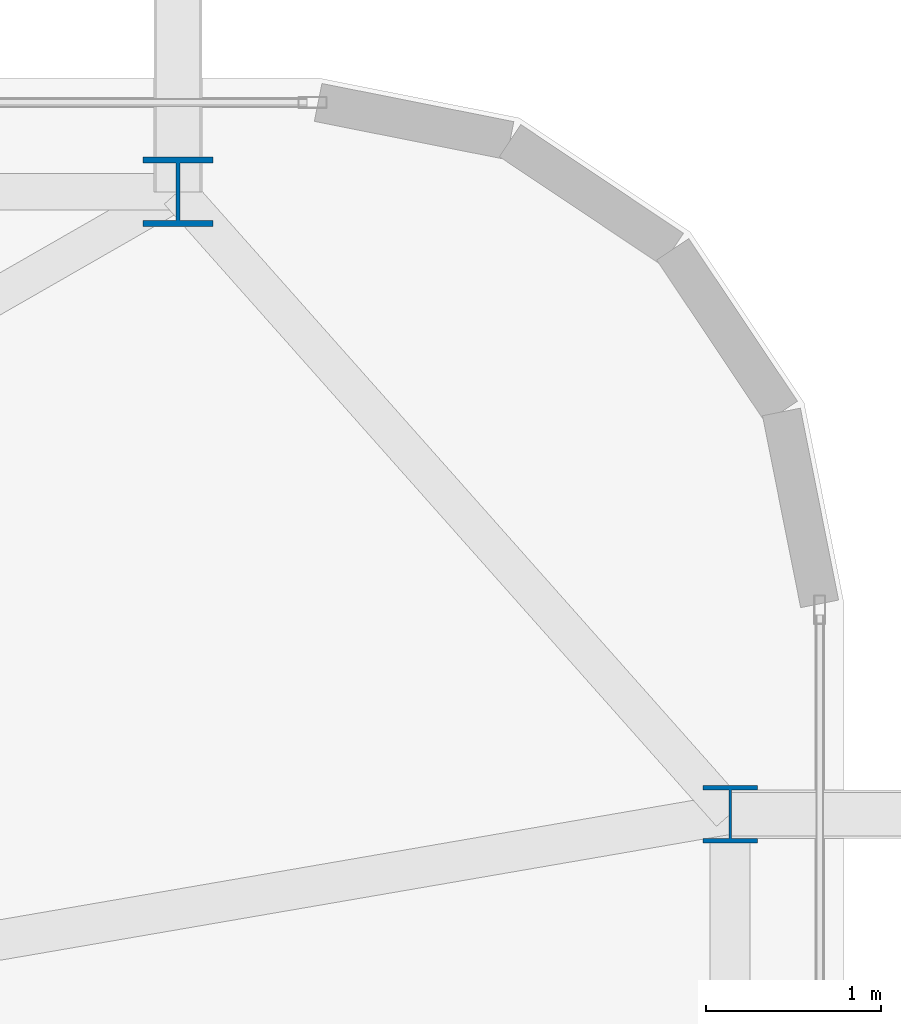
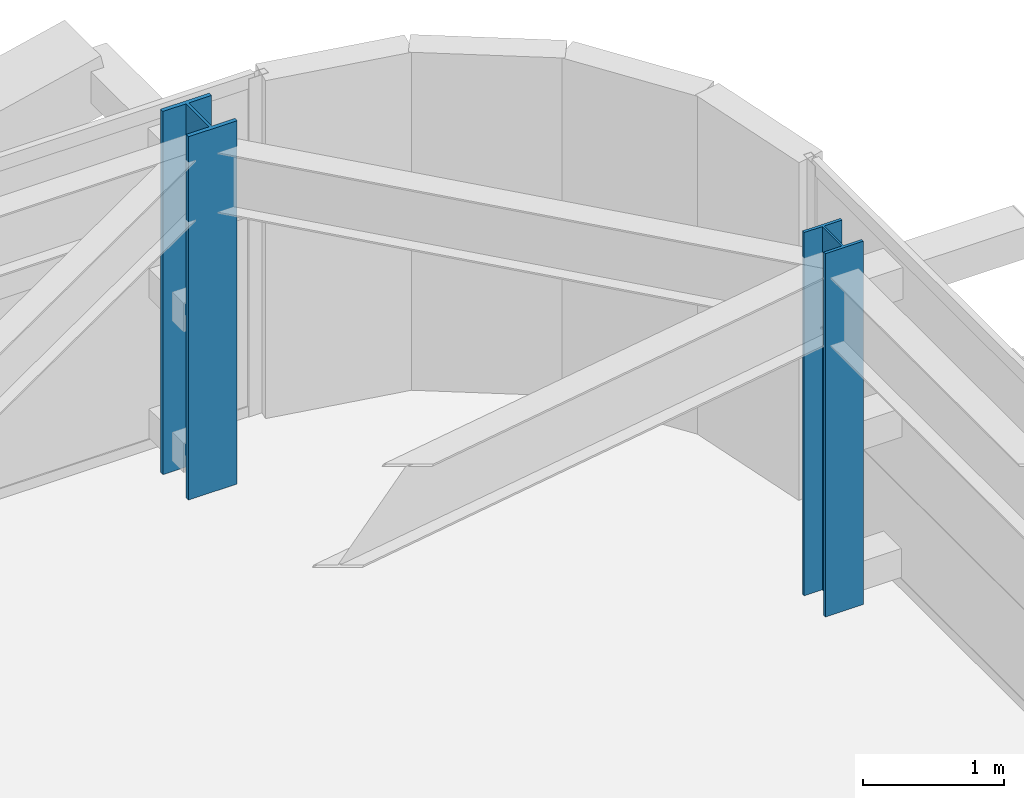
# One storey, part 4 of 44: 2 columns.
"""IFC4 building model written with IfcOpenShell, lengths in metres."""

from ifc_helpers import new_model, si_unit, direction, frame, origin, origin_2d, place, context, subcontext, project, spatial, i_section, extrude, source, transform, mapped, material, material_profile, profile_set, type_object, element, save


model = new_model("IFC4")

# Units and contexts
model_context = context("Model", 3, precision=1e-05, world=origin(), true_north=direction((0.0, 1.0)))
body_context = subcontext(model_context, "Body", "Model", "MODEL_VIEW")
ifc_project = project(units=[si_unit("LENGTHUNIT", "METRE"), si_unit("AREAUNIT", "SQUARE_METRE"), si_unit("VOLUMEUNIT", "CUBIC_METRE"), si_unit("PLANEANGLEUNIT", "RADIAN"), si_unit("MASSUNIT", "GRAM", prefix="KILO")], contexts=[model_context])

# Site, building, storey
site_placement = place(None, origin())
site = spatial("IfcSite", under=ifc_project, at=site_placement, CompositionType="ELEMENT")
building_placement = place(site_placement, origin())
building = spatial("IfcBuilding", under=site, at=building_placement, Name="Taldren Reach Tower", CompositionType="ELEMENT")
storey_placement = place(building_placement, frame((0.0, 0.0, 42.0)))
storey = spatial("IfcBuildingStorey", under=building, at=storey_placement, Name="L12", CompositionType="ELEMENT", Elevation=42.0)

# Columns
ifc_material = material(Name="Steel Gr 350 (350PLUS)", Category="steel")
ifc_material_profile_1 = material_profile(ifc_material, i_section(OverallWidth=0.39990234375, OverallDepth=0.39599609375, WebThickness=0.02197265625, FlangeThickness=0.033935546875, at=origin_2d()), Name="400WC270")
ifc_profile_set_1 = profile_set([ifc_material_profile_1], Name="Steel Gr 350 (350PLUS)")
column_type_1 = type_object("IfcColumnType", Name="COL-WC400", PredefinedType="COLUMN", material=ifc_profile_set_1)
shared_shape_1 = source(origin(), body_context, "Body", "SweptSolid", [
    extrude(i_section(OverallWidth=0.39990234375, OverallDepth=0.39599609375, WebThickness=0.02197265625, FlangeThickness=0.033935546875, at=origin_2d()), origin(), (0.0, 0.0, 1.0), 3.14990234375),
])
column_1_placement = place(storey_placement, frame((61.199951171875, 37.85009765625, 0.0), z_axis=(0.0, 0.0, 1.0), x_axis=(1.0, 0.0, 0.0)))
element("IfcColumn", 1, at=column_1_placement, inside=storey, type_object=column_type_1, Name="Block B1 perimeter column N6 L12", PredefinedType="COLUMN", context=body_context, shape_type="MappedRepresentation", body=[
    mapped(shared_shape_1, transform((0.0, 0.0, 0.0), scale=1.0)),
])
ifc_material_profile_2 = material_profile(ifc_material, i_section(OverallWidth=0.31103515625, OverallDepth=0.326904296875, WebThickness=0.015625, FlangeThickness=0.02490234375, at=origin_2d()), Name="310UC158")
ifc_profile_set_2 = profile_set([ifc_material_profile_2], Name="Steel Gr 350 (350PLUS)")
column_type_2 = type_object("IfcColumnType", Name="COL-UC310A", PredefinedType="COLUMN", material=ifc_profile_set_2)
shared_shape_2 = source(origin(), body_context, "Body", "SweptSolid", [
    extrude(i_section(OverallWidth=0.31103515625, OverallDepth=0.326904296875, WebThickness=0.015625, FlangeThickness=0.02490234375, at=origin_2d()), origin(), (0.0, 0.0, 1.0), 3.14990234375),
])
column_2_placement = place(storey_placement, frame((64.35009765625, 34.300048828125, 0.0), z_axis=(0.0, 0.0, 1.0), x_axis=(1.0, 0.0, 0.0)))
element("IfcColumn", 2, at=column_2_placement, inside=storey, type_object=column_type_2, Name="Block B1 perimeter column E3 L12", PredefinedType="COLUMN", context=body_context, shape_type="MappedRepresentation", body=[
    mapped(shared_shape_2, transform((0.0, 0.0, 0.0), scale=1.0)),
])

save(model, "model.ifc")
